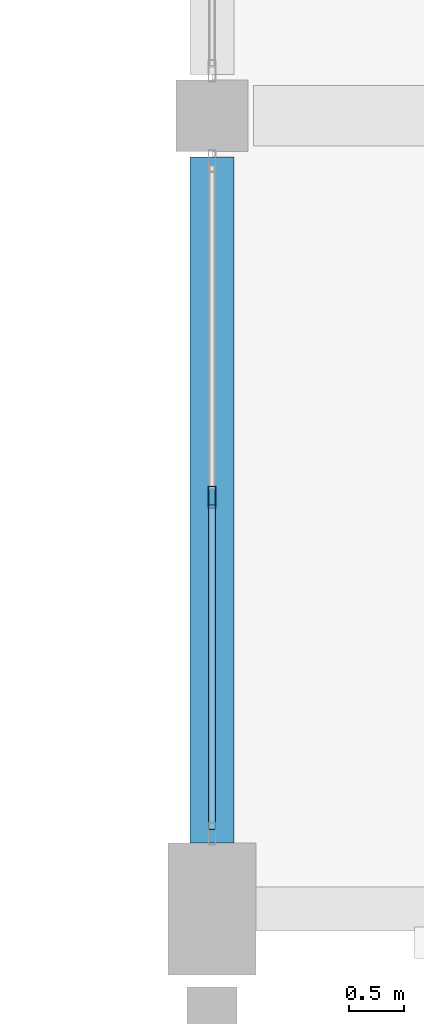
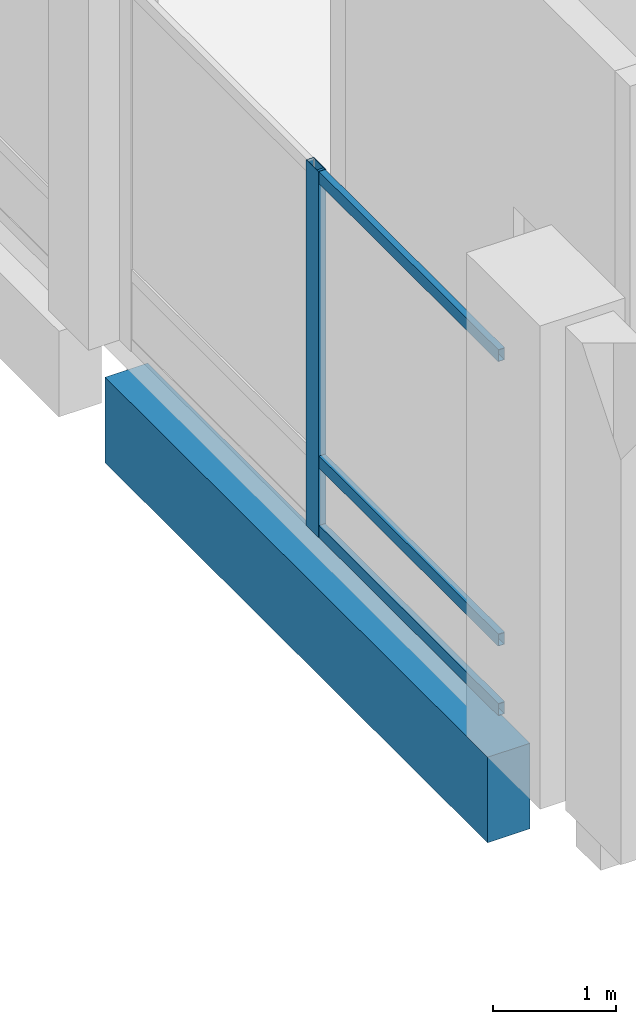
# One storey, part 86 of 220: 4 members, 1 beam, 1 element without a shape of its own.
"""IFC4 building model written with IfcOpenShell, lengths in metres."""

from ifc_helpers import new_model, si_unit, direction, frame, origin, origin_2d, place, context, subcontext, project, spatial, rectangle, hollow_rectangle, extrude, material, material_profile, profile_set, type_object, element, aggregate, save


model = new_model("IFC4")

# Units and contexts
model_context = context("Model", 3, precision=1e-05, world=origin(), true_north=direction((0.0, 1.0)))
body_context = subcontext(model_context, "Body", "Model", "MODEL_VIEW")
ifc_project = project(units=[si_unit("LENGTHUNIT", "METRE"), si_unit("AREAUNIT", "SQUARE_METRE"), si_unit("VOLUMEUNIT", "CUBIC_METRE"), si_unit("PLANEANGLEUNIT", "RADIAN"), si_unit("MASSUNIT", "GRAM", prefix="KILO")], contexts=[model_context])

# Site, building, storey
site_placement = place(None, origin())
site = spatial("IfcSite", under=ifc_project, at=site_placement, CompositionType="ELEMENT")
building_placement = place(site_placement, origin())
building = spatial("IfcBuilding", under=site, at=building_placement, Name="Cendralis Lancet Convention Centre", CompositionType="ELEMENT")
storey_placement = place(building_placement, frame((0.0, 0.0, 5.39990234375)))
storey = spatial("IfcBuildingStorey", under=building, at=storey_placement, Name="L01", CompositionType="ELEMENT", Elevation=5.39990234375)

# Curtain wall, members
ifc_material_1 = material(Name="Anodised bronze architectural aluminium", Category="aluminium")
curtain_wall_type = type_object("IfcCurtainWallType", Name="ARC-CW-PL01", PredefinedType="USERDEFINED", material=ifc_material_1)
curtain_wall_placement = place(storey_placement, origin())
curtain_wall = element("IfcCurtainWall", 1, at=curtain_wall_placement, inside=storey, type_object=curtain_wall_type, Name="L01 Curtain Wall CW-PL1 #116", ObjectType="CURTAIN WALL", PredefinedType="USERDEFINED")
ifc_material_profile_1 = material_profile(ifc_material_1, hollow_rectangle(XDim=0.070068359375, YDim=0.199951171875, WallThickness=0.0048828125, at=origin_2d()), Name="AL-MULL 70x200x5.0")
ifc_profile_set_1 = profile_set([ifc_material_profile_1], Name="Anodised bronze architectural aluminium")
member_type_1 = type_object("IfcMemberType", Name="ARC-CW-ML02", PredefinedType="MULLION", material=ifc_profile_set_1)
member_1_placement = place(storey_placement, frame((139.199951171875, 46.9375, 0.0), z_axis=(0.0, 0.0, 1.0), x_axis=(1.0, 0.0, 0.0)))
member_1 = element("IfcMember", 2, at=member_1_placement, type_object=member_type_1, Name="Mullion CW2-CW-PL1-L01-116-M1", PredefinedType="MULLION", context=body_context, shape_type="SweptSolid", body=[
    extrude(hollow_rectangle(XDim=0.070068359375, YDim=0.199951171875, WallThickness=0.0048828125, at=origin_2d()), origin(), (0.0, 0.0, 1.0), 3.635009765625),
])
ifc_material_profile_2 = material_profile(ifc_material_1, hollow_rectangle(XDim=0.06005859375, YDim=0.1201171875, WallThickness=0.00390625, at=origin_2d()), Name="AL-TRAN 60x120x4.0")
ifc_profile_set_2 = profile_set([ifc_material_profile_2], Name="Anodised bronze architectural aluminium")
member_type_2 = type_object("IfcMemberType", Name="ARC-CW-TR01", PredefinedType="USERDEFINED", material=ifc_profile_set_2)
member_2_placement = place(storey_placement, frame((139.199951171875, 43.919921875, 0.06005859375), z_axis=(0.0, 1.0, 0.0), x_axis=(-1.0, 0.0, 0.0)))
member_2 = element("IfcMember", 3, at=member_2_placement, type_object=member_type_2, Name="Transom CW2-CW-PL1-L01-116-T0BOT", ObjectType="TRANSOM", PredefinedType="USERDEFINED", context=body_context, shape_type="SweptSolid", body=[
    extrude(hollow_rectangle(XDim=0.06005859375, YDim=0.1201171875, WallThickness=0.00390625, at=origin_2d()), origin(), (0.0, 0.0, 1.0), 2.947509765625),
])
member_3_placement = place(storey_placement, frame((139.199951171875, 43.919921875, 0.75), z_axis=(0.0, 1.0, 0.0), x_axis=(-1.0, 0.0, 0.0)))
member_3 = element("IfcMember", 4, at=member_3_placement, type_object=member_type_2, Name="Transom CW2-CW-PL1-L01-116-T0MID", ObjectType="TRANSOM", PredefinedType="USERDEFINED", context=body_context, shape_type="SweptSolid", body=[
    extrude(hollow_rectangle(XDim=0.06005859375, YDim=0.1201171875, WallThickness=0.00390625, at=origin_2d()), origin(), (0.0, 0.0, 1.0), 2.947509765625),
])
member_4_placement = place(storey_placement, frame((139.199951171875, 43.919921875, 3.5751953125), z_axis=(0.0, 1.0, 0.0), x_axis=(-1.0, 0.0, 0.0)))
member_4 = element("IfcMember", 5, at=member_4_placement, type_object=member_type_2, Name="Transom CW2-CW-PL1-L01-116-T0TOP", ObjectType="TRANSOM", PredefinedType="USERDEFINED", context=body_context, shape_type="SweptSolid", body=[
    extrude(hollow_rectangle(XDim=0.06005859375, YDim=0.1201171875, WallThickness=0.00390625, at=origin_2d()), origin(), (0.0, 0.0, 1.0), 2.947509765625),
])
aggregate(curtain_wall, [member_1, member_2, member_3, member_4])

# Beam
ifc_material_2 = material(Name="Concrete G40 (C40/50)", Category="concrete")
ifc_material_profile_3 = material_profile(ifc_material_2, rectangle(XDim=0.39990234375, YDim=0.85009765625, at=origin_2d()), Name="RCB 400x850")
ifc_profile_set_3 = profile_set([ifc_material_profile_3], Name="Concrete G40 (C40/50)")
beam_type = type_object("IfcBeamType", Name="STR-SP-SP02", PredefinedType="SPANDREL", material=ifc_profile_set_3)
beam_placement = place(storey_placement, frame((139.199951171875, 43.800048828125, -0.704833984375), z_axis=(0.0, 1.0, 0.0), x_axis=(-1.0, 0.0, 0.0)))
element("IfcBeam", 6, at=beam_placement, inside=storey, type_object=beam_type, Name="L01 Beam SP02 #1422", PredefinedType="SPANDREL", context=body_context, shape_type="SweptSolid", body=[
    extrude(rectangle(XDim=0.39990234375, YDim=0.85009765625, at=origin_2d()), origin(), (0.0, 0.0, 1.0), 6.224853515625),
])

save(model, "model.ifc")
